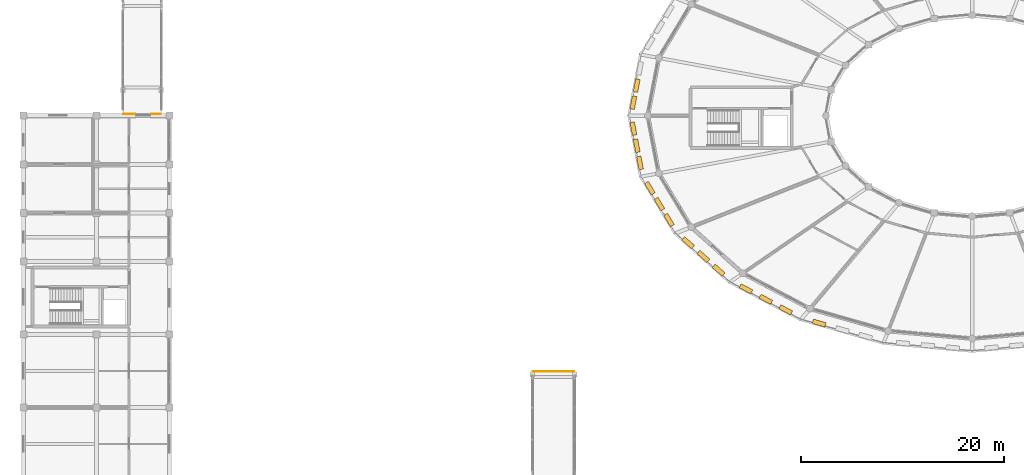
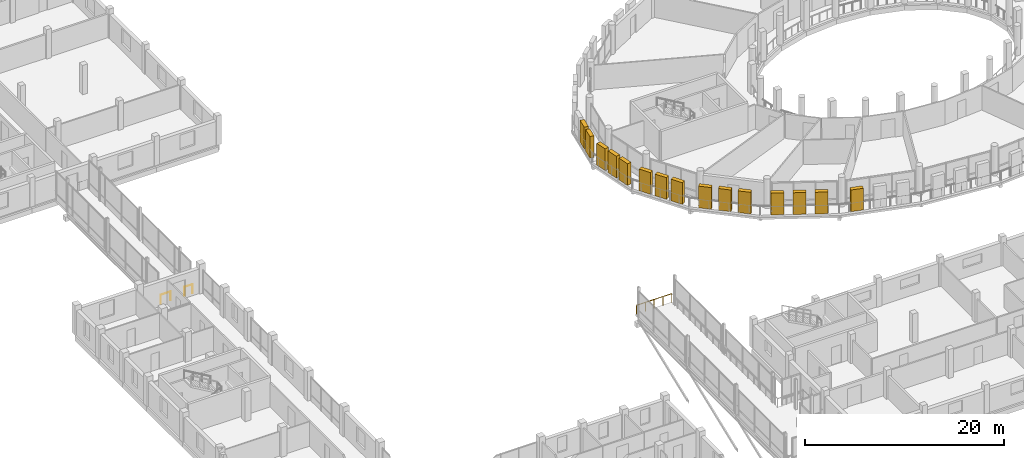
# One storey, part 122 of 128: 15 shading devices, 3 railings.
"""IFC4 building model written with IfcOpenShell, lengths in metres."""

from ifc_helpers import new_model, si_unit, direction, frame, origin, origin_2d, place, context, subcontext, project, spatial, rectangle, circle, extrude, material, type_object, element, save


model = new_model("IFC4")

# Units and contexts
model_context = context("Model", 3, precision=1e-05, world=origin(), true_north=direction((0.0, 1.0)))
body_context = subcontext(model_context, "Body", "Model", "MODEL_VIEW")
ifc_project = project(units=[si_unit("LENGTHUNIT", "METRE"), si_unit("AREAUNIT", "SQUARE_METRE"), si_unit("VOLUMEUNIT", "CUBIC_METRE"), si_unit("PLANEANGLEUNIT", "RADIAN"), si_unit("MASSUNIT", "GRAM", prefix="KILO")], contexts=[model_context])

# Site, building, storey
site_placement = place(None, origin())
site = spatial("IfcSite", under=ifc_project, at=site_placement, CompositionType="ELEMENT")
building_placement = place(site_placement, origin())
building = spatial("IfcBuilding", under=site, at=building_placement, Name="Zornivar Specialist Clinic", CompositionType="ELEMENT")
storey_placement = place(building_placement, frame((0.0, 0.0, 4.5)))
storey = spatial("IfcBuildingStorey", under=building, at=storey_placement, Name="L01", CompositionType="ELEMENT", Elevation=4.5)

# Railings
ifc_material_1 = material(Name="Painted Steel and Oiled Timber Balustrade", Category="steel")
railing_type = type_object("IfcRailingType", Name="GRD-EXT-BALUST-1100", PredefinedType="BALUSTRADE", material=ifc_material_1)
railing_1_placement = place(storey_placement, frame((50.260009765625, 32.340087890625, 0.0)))
element("IfcRailing", 1, at=railing_1_placement, inside=storey, type_object=railing_type, Name="rail:BR1:L01:endN", PredefinedType="BALUSTRADE", context=body_context, shape_type="SweptSolid", body=[
    extrude(circle(Radius=0.02392578125, at=origin_2d()), frame((0.0, 0.0, 1.076171875), z_axis=(1.0, 0.0, 0.0), x_axis=(0.0, 1.0, 0.0)), (0.0, 0.0, 1.0), 4.080078125),
    extrude(circle(Radius=0.02099609375, at=origin_2d()), origin(), (0.0, 0.0, 1.0), 1.052001953125),
    extrude(circle(Radius=0.02099609375, at=origin_2d()), frame((1.02001953125, 0.0, 0.0)), (0.0, 0.0, 1.0), 1.052001953125),
    extrude(circle(Radius=0.02099609375, at=origin_2d()), frame((2.0400390625, 0.0, 0.0)), (0.0, 0.0, 1.0), 1.052001953125),
    extrude(circle(Radius=0.02099609375, at=origin_2d()), frame((3.06005859375, 0.0, 0.0)), (0.0, 0.0, 1.0), 1.052001953125),
    extrude(circle(Radius=0.02099609375, at=origin_2d()), frame((4.080078125, 0.0, 0.0)), (0.0, 0.0, 1.0), 1.052001953125),
])
railing_2_placement = place(storey_placement, frame((9.860107421875, 57.780029296875, 0.0)))
element("IfcRailing", 2, at=railing_2_placement, inside=storey, type_object=railing_type, Name="rail:BR2:L01:endS_W", PredefinedType="BALUSTRADE", context=body_context, shape_type="SweptSolid", body=[
    extrude(circle(Radius=0.02392578125, at=origin_2d()), frame((0.0, 0.0, 1.076171875), z_axis=(1.0, 0.0, 0.0), x_axis=(0.0, 1.0, 0.0)), (0.0, 0.0, 1.0), 1.139892578125),
    extrude(circle(Radius=0.02099609375, at=origin_2d()), origin(), (0.0, 0.0, 1.0), 1.052001953125),
    extrude(circle(Radius=0.02099609375, at=origin_2d()), frame((1.139892578125, 0.0, 0.0)), (0.0, 0.0, 1.0), 1.052001953125),
])
railing_3_placement = place(storey_placement, frame((12.60009765625, 57.780029296875, 0.0)))
element("IfcRailing", 3, at=railing_3_placement, inside=storey, type_object=railing_type, Name="rail:BR2:L01:endS_E", PredefinedType="BALUSTRADE", context=body_context, shape_type="SweptSolid", body=[
    extrude(circle(Radius=0.02392578125, at=origin_2d()), frame((0.0, 0.0, 1.076171875), z_axis=(1.0, 0.0, 0.0), x_axis=(0.0, 1.0, 0.0)), (0.0, 0.0, 1.0), 0.93994140625),
    extrude(circle(Radius=0.02099609375, at=origin_2d()), origin(), (0.0, 0.0, 1.0), 1.052001953125),
    extrude(circle(Radius=0.02099609375, at=origin_2d()), frame((0.93994140625, 0.0, 0.0)), (0.0, 0.0, 1.0), 1.052001953125),
])

# Shading devices
ifc_material_2 = material(Name="Oiled European Larch Timber Louvre Shutter", Category="wood")
shading_device_type = type_object("IfcShadingDeviceType", Name="SHD-DRUM-SHUTTER-450", PredefinedType="SHUTTER", material=ifc_material_2)
for number, where, z_axis, x_axis, name in (
    (4, (60.50390625, 60.571044921875, 0.0), (0.0, 0.0, 1.0), (-0.188098987302, -0.982150075587, 0.0), "shutter:V1:L01:c11:1"),
    (5, (60.179931640625, 58.881103515625, 0.0), (0.0, 0.0, 1.0), (-0.188098987302, -0.982150075587, 0.0), "shutter:V1:L01:c11:2"),
    (6, (60.179931640625, 56.319091796875, 0.0), (0.0, 0.0, 1.0), (0.188098987302, -0.982150075587, 0.0), "shutter:V1:L01:c12:0"),
    (7, (60.50390625, 54.62890625, 0.0), (0.0, 0.0, 1.0), (0.188098987302, -0.982150075587, 0.0), "shutter:V1:L01:c12:1"),
    (8, (60.826904296875, 52.93896484375, 0.0), (0.0, 0.0, 1.0), (0.188098987302, -0.982150075587, 0.0), "shutter:V1:L01:c12:2"),
    (9, (61.7958984375, 50.4560546875, 0.0), (0.0, 0.0, 1.0), (0.516018019467, -0.856577727696, 0.0), "shutter:V1:L01:c13:0"),
    (10, (62.743896484375, 48.881103515625, 0.0), (0.0, 0.0, 1.0), (0.516018019467, -0.856577727696, 0.0), "shutter:V1:L01:c13:1"),
    (11, (63.693115234375, 47.305908203125, 0.0), (0.0, 0.0, 1.0), (0.516018019467, -0.856577727696, 0.0), "shutter:V1:L01:c13:2"),
    (12, (65.576904296875, 45.06396484375, 0.0), (0.0, 0.0, 1.0), (0.744796712128, -0.667291433785, 0.0), "shutter:V1:L01:c14:0"),
    (13, (67.0859375, 43.7109375, 0.0), (0.0, 0.0, 1.0), (0.744796712128, -0.667291433785, 0.0), "shutter:V1:L01:c14:1"),
    (14, (68.595947265625, 42.35888671875, 0.0), (0.0, 0.0, 1.0), (0.744796712128, -0.667291433785, 0.0), "shutter:V1:L01:c14:2"),
    (15, (71.277099609375, 40.51611328125, 0.0), (0.0, 0.0, 1.0), (0.884469914632, -0.466597224713, 0.0), "shutter:V1:L01:c15:0"),
    (16, (73.243896484375, 39.47802734375, 0.0), (0.0, 0.0, 1.0), (0.884469914632, -0.466597224713, 0.0), "shutter:V1:L01:c15:1"),
    (17, (75.2109375, 38.43994140625, 0.0), (0.0, 0.0, 1.0), (0.884469914632, -0.466597224713, 0.0), "shutter:V1:L01:c15:2"),
    (18, (78.508056640625, 37.132080078125, 0.0), (0.0, 0.0, 1.0), (0.961785255901, -0.273804896838, 0.0), "shutter:V1:L01:c16:0"),
):
    element("IfcShadingDevice", number, at=place(storey_placement, frame(where, z_axis=z_axis, x_axis=x_axis)), inside=storey, type_object=shading_device_type, Name=name, PredefinedType="SHUTTER", context=body_context, shape_type="SweptSolid", body=[
        extrude(rectangle(XDim=1.300048828125, YDim=0.449951171875, at=origin_2d()), origin(), (0.0, 0.0, 1.0), 2.64990234375),
    ])

save(model, "model.ifc")
